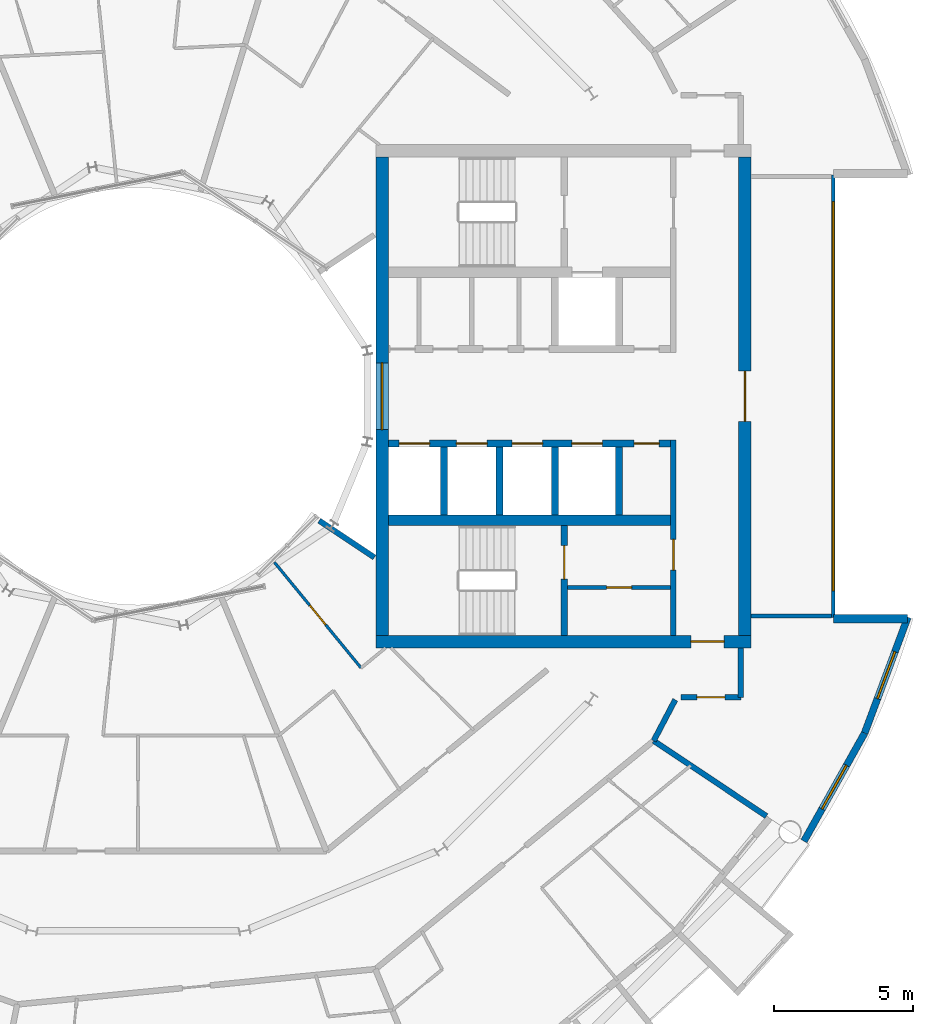
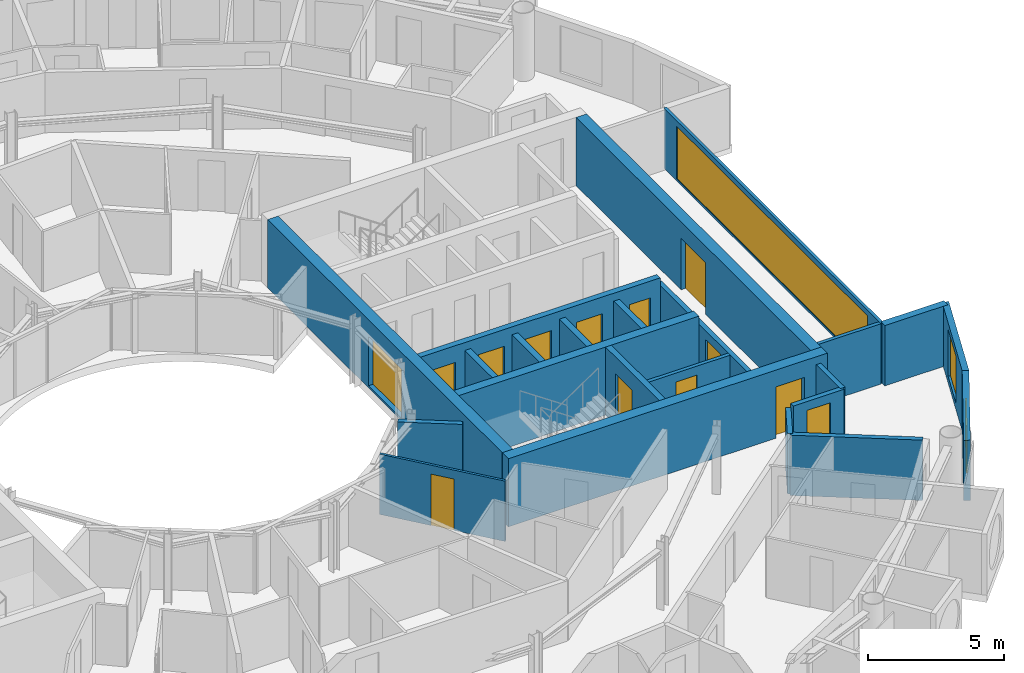
# One storey, part 19 of 29: 23 walls, 12 doors, 4 windows, 16 openings.
"""IFC4 building model written with IfcOpenShell, lengths in metres."""

import ifcopenshell
import ifcopenshell.guid

model = None  # the IFC model being written
_history = None  # IfcOwnerHistory: only IFC2X3 demands one
_inside = {}  # id of a spatial element -> (the spatial element, [elements in it])
_under = {}  # id of a project, library or spatial element -> (it, [spatial elements below it])
_declared = {}  # id of a project -> (the project, [libraries it declares])
_typed = {}  # id of a type object -> (the type object, [elements of that type])
_made_of = {}  # id of a material, layer set ... -> (it, [elements and type objects made of it])


def new_model(schema):
    """Start an empty IFC model of exactly this schema.

    Asked for "IFC4X3", IfcOpenShell would pick the latest addendum, in which some entities
    have other attributes; the version numbers below select the first issue.
    IFC2X3 requires an IfcOwnerHistory on every rooted entity: one is made here for all.
    """
    global model, _history
    if schema == "IFC4X3":
        model = ifcopenshell.file(schema_version=(4, 3, 0, 0))
    else:
        model = ifcopenshell.file(schema=schema)
    _inside.clear()
    _under.clear()
    _declared.clear()
    _typed.clear()
    _made_of.clear()
    _history = None
    if model.schema == "IFC2X3":
        org = make("IfcOrganization", Name="unknown")
        user = make(
            "IfcPersonAndOrganization",
            ThePerson=make("IfcPerson", FamilyName="unknown"),
            TheOrganization=org,
        )
        app = make(
            "IfcApplication",
            ApplicationDeveloper=org,
            Version="unknown",
            ApplicationFullName="unknown",
            ApplicationIdentifier="unknown",
        )
        _history = make(
            "IfcOwnerHistory",
            OwningUser=user,
            OwningApplication=app,
            ChangeAction="ADDED",
            CreationDate=0,
        )
    return model


def make(cls, **values):
    """One entity of the class cls with the attributes given. An attribute that is None is left unset."""
    return model.create_entity(
        cls, **{name: value for name, value in values.items() if value is not None}
    )


def rooted(cls, **values):
    """An entity with a GlobalId (a new one), such as an element, a storey or a relation."""
    return make(cls, GlobalId=ifcopenshell.guid.new(), OwnerHistory=_history, **values)


def si_unit(unit_type, name, prefix=None):
    """IfcSIUnit, for example si_unit("LENGTHUNIT", "METRE", prefix="MILLI")."""
    return make("IfcSIUnit", UnitType=unit_type, Prefix=prefix, Name=name)


def assignment(units):
    """IfcUnitAssignment: the units of a project."""
    return None if units is None else make("IfcUnitAssignment", Units=units)


def point(xyz):
    """IfcCartesianPoint."""
    return None if xyz is None else make("IfcCartesianPoint", Coordinates=xyz)


def direction(xyz):
    """IfcDirection."""
    return None if xyz is None else make("IfcDirection", DirectionRatios=xyz)


def frame(location, z_axis=None, x_axis=None):
    """IfcAxis2Placement3D, a coordinate frame: its origin and axes. An axis left out is left unset."""
    return make(
        "IfcAxis2Placement3D",
        Location=point(location),
        Axis=direction(z_axis),
        RefDirection=direction(x_axis),
    )


def frame_2d(location, x_axis=None):
    """IfcAxis2Placement2D, a coordinate frame in the plane: its origin and x axis."""
    return make(
        "IfcAxis2Placement2D", Location=point(location), RefDirection=direction(x_axis)
    )


def origin():
    """The frame at (0, 0, 0) with its axes left unset."""
    return frame((0.0, 0.0, 0.0))


def place(relative_to, where):
    """IfcLocalPlacement: puts the frame where relative to a parent placement (None: the world)."""
    return make(
        "IfcLocalPlacement", PlacementRelTo=relative_to, RelativePlacement=where
    )


def context(
    kind, dimensions, precision=None, world=None, true_north=None, identifier=None
):
    """IfcGeometricRepresentationContext, for example the 3D "Model" context."""
    return make(
        "IfcGeometricRepresentationContext",
        ContextIdentifier=identifier,
        ContextType=kind,
        CoordinateSpaceDimension=dimensions,
        Precision=precision,
        WorldCoordinateSystem=world,
        TrueNorth=true_north,
    )


def subcontext(parent, identifier, kind, view, scale=None):
    """IfcGeometricRepresentationSubContext, for example "Body" below "Model"."""
    return make(
        "IfcGeometricRepresentationSubContext",
        ContextIdentifier=identifier,
        ContextType=kind,
        ParentContext=parent,
        TargetScale=scale,
        TargetView=view,
    )


def project(units=None, contexts=None):
    """IfcProject with its units and contexts."""
    return rooted(
        "IfcProject",
        Name="project",
        RepresentationContexts=contexts,
        UnitsInContext=assignment(units),
    )


def spatial(cls, under=None, at=None, **own):
    """A site, building, storey or space (cls), placed at a placement, below another one or the project."""
    s = rooted(cls, ObjectPlacement=at, **own)
    if under is not None:
        _under.setdefault(under.id(), (under, []))[1].append(s)
    return s


def profile(cls, at=None, kind="AREA", **sizes):
    """A parametric profile (cls). Its sizes go by their IFC names, for example OverallWidth=200.0."""
    return make(cls, ProfileType=kind, Position=at, **sizes)


def rectangle(**sizes):
    """IfcRectangleProfileDef."""
    return profile("IfcRectangleProfileDef", **sizes)


def extrude(swept, where, along, depth):
    """IfcExtrudedAreaSolid: the profile swept, set in the frame where, extruded along a direction by depth."""
    return make(
        "IfcExtrudedAreaSolid",
        SweptArea=swept,
        Position=where,
        ExtrudedDirection=direction(along),
        Depth=depth,
    )


def shape(context_of_items, identifier, shape_type, items):
    """IfcShapeRepresentation: the items that make up one representation, for example the "Body"."""
    return make(
        "IfcShapeRepresentation",
        ContextOfItems=context_of_items,
        RepresentationIdentifier=identifier,
        RepresentationType=shape_type,
        Items=items,
    )


def material(Name=None, Category=None):
    """IfcMaterial."""
    return make("IfcMaterial", Name=Name, Category=Category)


def layer(
    of_material, thickness, ventilated=None, Name=None, Category=None, Priority=None
):
    """IfcMaterialLayer: one layer of a wall or slab, of a material (None: an air gap)."""
    return make(
        "IfcMaterialLayer",
        Material=of_material,
        LayerThickness=thickness,
        IsVentilated=ventilated,
        Name=Name,
        Category=Category,
        Priority=Priority,
    )


def layer_set(layers, Name=None):
    """IfcMaterialLayerSet."""
    return make("IfcMaterialLayerSet", MaterialLayers=layers, LayerSetName=Name)


def made_of(thing, what):
    """Note that an element or type object is made of a material, layer set ...; save() writes the relation."""
    if what is not None:
        _made_of.setdefault(what.id(), (what, []))[1].append(thing)
    return thing


def type_object(cls, material=None, **own):
    """A type object (cls), such as IfcWallType, which elements share."""
    return made_of(rooted(cls, **own), material)


def element(
    cls,
    number,
    at=None,
    inside=None,
    cuts=None,
    type_object=None,
    material=None,
    context=None,
    identifier="Body",
    shape_type=None,
    held_by="IfcProductDefinitionShape",
    body=None,
    shapes=None,
    **own,
):
    """One element of the class cls, such as IfcWall. Its Tag is "e" and its number.

    at: its placement. inside: the storey or other place that contains it. cuts: it is an
    opening in that element (IfcRelVoidsElement). A single representation is given by context,
    identifier, shape_type and body (its items); several are given by shapes. held_by: the class
    of the entity that holds the representations. save() writes the other relations.
    """
    e = rooted(cls, Tag="e%d" % number, ObjectPlacement=at, **own)
    if body is not None:
        shapes = [shape(context, identifier, shape_type, body)]
    if shapes is not None:
        e.Representation = make(held_by, Representations=shapes)
    if inside is not None:
        _inside.setdefault(inside.id(), (inside, []))[1].append(e)
    if cuts is not None:
        rooted(
            "IfcRelVoidsElement", RelatingBuildingElement=cuts, RelatedOpeningElement=e
        )
    if type_object is not None:
        _typed.setdefault(type_object.id(), (type_object, []))[1].append(e)
    return made_of(e, material)


def fill(opening, filler):
    """IfcRelFillsElement: the door or window that sits in an opening."""
    return rooted(
        "IfcRelFillsElement",
        RelatingOpeningElement=opening,
        RelatedBuildingElement=filler,
    )


def aggregate(whole, parts):
    """IfcRelAggregates: a whole, such as a stair, and the parts it consists of."""
    return rooted("IfcRelAggregates", RelatingObject=whole, RelatedObjects=parts)


def save(model, path):
    """Write the relations noted so far, then the file.

    IfcRelAggregates (storeys below a building ...), IfcRelContainedInSpatialStructure (elements
    in a storey), IfcRelDefinesByType, IfcRelAssociatesMaterial and IfcRelDeclares: one each for
    every whole, place, type object, material and project.
    """
    for whole, parts in _under.values():
        aggregate(whole, parts)
    for where, things in _inside.values():
        rooted(
            "IfcRelContainedInSpatialStructure",
            RelatedElements=things,
            RelatingStructure=where,
        )
    for kind, things in _typed.values():
        rooted("IfcRelDefinesByType", RelatedObjects=things, RelatingType=kind)
    for what, things in _made_of.values():
        rooted("IfcRelAssociatesMaterial", RelatedObjects=things, RelatingMaterial=what)
    for by, libraries in _declared.values():
        rooted("IfcRelDeclares", RelatingContext=by, RelatedDefinitions=libraries)
    model.write(path)


model = new_model("IFC4")

# Units and contexts
model_context = context("Model", 3, precision=1e-05, world=origin(), true_north=direction((0.0, 1.0)))
body_context = subcontext(model_context, "Body", "Model", "MODEL_VIEW")
ifc_project = project(units=[si_unit("LENGTHUNIT", "METRE"), si_unit("AREAUNIT", "SQUARE_METRE"), si_unit("VOLUMEUNIT", "CUBIC_METRE"), si_unit("PLANEANGLEUNIT", "RADIAN"), si_unit("MASSUNIT", "GRAM", prefix="KILO")], contexts=[model_context])

# Site, building, storey
site_placement = place(None, origin())
site = spatial("IfcSite", under=ifc_project, at=site_placement, CompositionType="ELEMENT")
building_placement = place(site_placement, origin())
building = spatial("IfcBuilding", under=site, at=building_placement, Name="Maasbend Ring Residences", CompositionType="ELEMENT")
storey_placement = place(building_placement, frame((0.0, 0.0, 205.449951171875)))
storey = spatial("IfcBuildingStorey", under=building, at=storey_placement, Name="L59", CompositionType="ELEMENT", Elevation=205.449951171875)

# Wall, openings, doors
ifc_material_1 = material(Name="Concrete C50/60", Category="concrete")
ifc_layer_1 = layer(ifc_material_1, 0.25)
ifc_layer_set_1 = layer_set([ifc_layer_1], Name="Concrete C50/60")
wall_type_1 = type_object("IfcWallType", Name="CORE WALL 250 C50/60", PredefinedType="SHEAR", material=ifc_layer_set_1)
wall_1_placement = place(storey_placement, frame((19.14990234375, -1.699951171875, 0.0), z_axis=(0.0, 0.0, 1.0), x_axis=(-1.0, 0.0, 0.0)))
wall_1 = element("IfcWall", 1, at=wall_1_placement, inside=storey, type_object=wall_type_1, Name="L59 core E wall SPS", PredefinedType="SHEAR", context=body_context, shape_type="SweptSolid", body=[
    extrude(rectangle(XDim=10.14990234375, YDim=0.25, at=frame_2d((5.074951171875, 0.0))), origin(), (0.0, 0.0, 1.0), 3.050048828125),
])
opening_1_placement = place(wall_1_placement, frame((8.66259765625, 0.0, 0.0)))
opening_1 = element("IfcOpeningElement", 2, at=opening_1_placement, cuts=wall_1, Name="Opening LD-E5902", PredefinedType="OPENING", context=body_context, shape_type="SweptSolid", body=[
    extrude(rectangle(XDim=1.10009765625, YDim=2.300048828125, at=frame_2d((0.550048828125, 1.14990234375))), frame((0.0, 0.135009765625, 0.0), z_axis=(0.0, -1.0, 0.0), x_axis=(1.0, 0.0, 0.0)), (0.0, 0.0, 1.0), 0.27001953125),
])
opening_2_placement = place(wall_1_placement, frame((6.60009765625, 0.0, 0.0)))
opening_2 = element("IfcOpeningElement", 3, at=opening_2_placement, cuts=wall_1, Name="Opening LD-E5903", PredefinedType="OPENING", context=body_context, shape_type="SweptSolid", body=[
    extrude(rectangle(XDim=1.10009765625, YDim=2.300048828125, at=frame_2d((0.550048828125, 1.14990234375))), frame((0.0, 0.135009765625, 0.0), z_axis=(0.0, -1.0, 0.0), x_axis=(1.0, 0.0, 0.0)), (0.0, 0.0, 1.0), 0.27001953125),
])
opening_3_placement = place(wall_1_placement, frame((4.60009765625, 0.0, 0.0)))
opening_3 = element("IfcOpeningElement", 4, at=opening_3_placement, cuts=wall_1, Name="Opening LD-E5904", PredefinedType="OPENING", context=body_context, shape_type="SweptSolid", body=[
    extrude(rectangle(XDim=1.10009765625, YDim=2.300048828125, at=frame_2d((0.550048828125, 1.14990234375))), frame((0.0, 0.135009765625, 0.0), z_axis=(0.0, -1.0, 0.0), x_axis=(1.0, 0.0, 0.0)), (0.0, 0.0, 1.0), 0.27001953125),
])
opening_4_placement = place(wall_1_placement, frame((2.449951171875, 0.0, 0.0)))
opening_4 = element("IfcOpeningElement", 5, at=opening_4_placement, cuts=wall_1, Name="Opening LD-E5905", PredefinedType="OPENING", context=body_context, shape_type="SweptSolid", body=[
    extrude(rectangle(XDim=1.10009765625, YDim=2.300048828125, at=frame_2d((0.550048828125, 1.14990234375))), frame((0.0, 0.135009765625, 0.0), z_axis=(0.0, -1.0, 0.0), x_axis=(1.0, 0.0, 0.0)), (0.0, 0.0, 1.0), 0.27001953125),
])
opening_5_placement = place(wall_1_placement, frame((0.41259765625, 0.0, 0.0)))
opening_5 = element("IfcOpeningElement", 6, at=opening_5_placement, cuts=wall_1, Name="Opening D-E5911", PredefinedType="OPENING", context=body_context, shape_type="SweptSolid", body=[
    extrude(rectangle(XDim=0.89990234375, YDim=2.300048828125, at=frame_2d((0.449951171875, 1.14990234375))), frame((0.0, 0.135009765625, 0.0), z_axis=(0.0, -1.0, 0.0), x_axis=(1.0, 0.0, 0.0)), (0.0, 0.0, 1.0), 0.27001953125),
])
ifc_material_2 = material(Name="Stainless steel 316", Category="steel")
door_type_1 = type_object("IfcDoorType", Name="LANDING DOOR 1100 X 2300 FD60", OperationType="DOUBLE_DOOR_SLIDING", PredefinedType="DOOR", material=ifc_material_2)
door_1_placement = place(opening_1_placement, origin())
door_1 = element("IfcDoor", 7, at=door_1_placement, inside=storey, type_object=door_type_1, Name="Landing door HR-E1 L59", OperationType="DOUBLE_DOOR_SLIDING", OverallHeight=2.300048828125, OverallWidth=1.10009765625, PredefinedType="DOOR", context=body_context, shape_type="SweptSolid", body=[
    extrude(rectangle(XDim=1.10009765625, YDim=2.300048828125, at=frame_2d((0.550048828125, 1.14990234375))), frame((0.0, 0.02490234375, 0.0), z_axis=(0.0, -1.0, 0.0), x_axis=(1.0, 0.0, 0.0)), (0.0, 0.0, 1.0), 0.050048828125),
])
fill(opening_1, door_1)
door_2_placement = place(opening_2_placement, origin())
door_2 = element("IfcDoor", 8, at=door_2_placement, inside=storey, type_object=door_type_1, Name="Landing door HR-E2 L59", OperationType="DOUBLE_DOOR_SLIDING", OverallHeight=2.300048828125, OverallWidth=1.10009765625, PredefinedType="DOOR", context=body_context, shape_type="SweptSolid", body=[
    extrude(rectangle(XDim=1.10009765625, YDim=2.300048828125, at=frame_2d((0.550048828125, 1.14990234375))), frame((0.0, 0.02490234375, 0.0), z_axis=(0.0, -1.0, 0.0), x_axis=(1.0, 0.0, 0.0)), (0.0, 0.0, 1.0), 0.050048828125),
])
fill(opening_2, door_2)
door_3_placement = place(opening_3_placement, origin())
door_3 = element("IfcDoor", 9, at=door_3_placement, inside=storey, type_object=door_type_1, Name="Landing door HR-E3 L59", OperationType="DOUBLE_DOOR_SLIDING", OverallHeight=2.300048828125, OverallWidth=1.10009765625, PredefinedType="DOOR", context=body_context, shape_type="SweptSolid", body=[
    extrude(rectangle(XDim=1.10009765625, YDim=2.300048828125, at=frame_2d((0.550048828125, 1.14990234375))), frame((0.0, 0.02490234375, 0.0), z_axis=(0.0, -1.0, 0.0), x_axis=(1.0, 0.0, 0.0)), (0.0, 0.0, 1.0), 0.050048828125),
])
fill(opening_3, door_3)
door_4_placement = place(opening_4_placement, origin())
door_4 = element("IfcDoor", 10, at=door_4_placement, inside=storey, type_object=door_type_1, Name="Landing door SV-E L59", OperationType="DOUBLE_DOOR_SLIDING", OverallHeight=2.300048828125, OverallWidth=1.10009765625, PredefinedType="DOOR", context=body_context, shape_type="SweptSolid", body=[
    extrude(rectangle(XDim=1.10009765625, YDim=2.300048828125, at=frame_2d((0.550048828125, 1.14990234375))), frame((0.0, 0.02490234375, 0.0), z_axis=(0.0, -1.0, 0.0), x_axis=(1.0, 0.0, 0.0)), (0.0, 0.0, 1.0), 0.050048828125),
])
fill(opening_4, door_4)
ifc_material_3 = material(Name="Steel, powder coated", Category="steel")
door_type_2 = type_object("IfcDoorType", Name="ROOM DOOR 900 X 2300 FD30S", OperationType="NOTDEFINED", PredefinedType="DOOR", material=ifc_material_3)
door_5_placement = place(opening_5_placement, origin())
door_5 = element("IfcDoor", 11, at=door_5_placement, inside=storey, type_object=door_type_2, Name="Room door L59", OperationType="SINGLE_SWING_RIGHT", OverallHeight=2.300048828125, OverallWidth=0.89990234375, PredefinedType="DOOR", context=body_context, shape_type="SweptSolid", body=[
    extrude(rectangle(XDim=0.89990234375, YDim=2.300048828125, at=frame_2d((0.449951171875, 1.14990234375))), frame((0.0, 0.02490234375, 0.0), z_axis=(0.0, -1.0, 0.0), x_axis=(1.0, 0.0, 0.0)), (0.0, 0.0, 1.0), 0.050048828125),
])
fill(opening_5, door_5)

# Wall, opening, door
wall_2_placement = place(storey_placement, frame((15.324951171875, -8.60009765625, 0.0), z_axis=(0.0, 0.0, 1.0), x_axis=(0.0, 1.0, 0.0)))
wall_2 = element("IfcWall", 12, at=wall_2_placement, inside=storey, type_object=wall_type_1, Name="L59 core E wall STES", PredefinedType="SHEAR", context=body_context, shape_type="SweptSolid", body=[
    extrude(rectangle(XDim=3.9501953125, YDim=0.25, at=frame_2d((1.97509765625, 0.0))), origin(), (0.0, 0.0, 1.0), 3.050048828125),
])
opening_6_placement = place(wall_2_placement, frame((2.02490234375, 0.0, 0.0)))
opening_6 = element("IfcOpeningElement", 13, at=opening_6_placement, cuts=wall_2, Name="Opening D-E5914", PredefinedType="OPENING", context=body_context, shape_type="SweptSolid", body=[
    extrude(rectangle(XDim=1.199951171875, YDim=2.300048828125, at=frame_2d((0.60009765625, 1.14990234375))), frame((0.0, 0.135009765625, 0.0), z_axis=(0.0, -1.0, 0.0), x_axis=(1.0, 0.0, 0.0)), (0.0, 0.0, 1.0), 0.27001953125),
])
ifc_material_4 = material(Name="Steel, powder coated", Category="steel")
door_type_3 = type_object("IfcDoorType", Name="STAIR DOOR 1200 X 2300 FD60", OperationType="NOTDEFINED", PredefinedType="DOOR", material=ifc_material_4)
door_6_placement = place(opening_6_placement, origin())
door_6 = element("IfcDoor", 14, at=door_6_placement, inside=storey, type_object=door_type_3, Name="Stair door ST-E L59", OperationType="SINGLE_SWING_LEFT", OverallHeight=2.300048828125, OverallWidth=1.199951171875, PredefinedType="DOOR", context=body_context, shape_type="SweptSolid", body=[
    extrude(rectangle(XDim=1.199951171875, YDim=2.300048828125, at=frame_2d((0.60009765625, 1.14990234375))), frame((0.0, 0.02490234375, 0.0), z_axis=(0.0, -1.0, 0.0), x_axis=(1.0, 0.0, 0.0)), (0.0, 0.0, 1.0), 0.050048828125),
])
fill(opening_6, door_6)

# Wall
ifc_material_5 = material(Name="Concrete C50/60", Category="concrete")
ifc_layer_2 = layer(ifc_material_5, 0.375)
ifc_layer_set_2 = layer_set([ifc_layer_2], Name="Concrete C50/60")
wall_type_2 = type_object("IfcWallType", Name="CORE WALL 375 C50/60", PredefinedType="SHEAR", material=ifc_layer_set_2)
wall_3_placement = place(storey_placement, frame((9.0, -4.46240234375, 0.0), z_axis=(0.0, 0.0, 1.0), x_axis=(1.0, 0.0, 0.0)))
element("IfcWall", 15, at=wall_3_placement, inside=storey, type_object=wall_type_2, Name="L59 core E wall BS", PredefinedType="SHEAR", context=body_context, shape_type="SweptSolid", body=[
    extrude(rectangle(XDim=10.14990234375, YDim=0.375, at=frame_2d((5.074951171875, 0.0))), origin(), (0.0, 0.0, 1.0), 3.050048828125),
])

# Wall, opening, door
ifc_material_6 = material(Name="Concrete C50/60", Category="concrete")
ifc_layer_3 = layer(ifc_material_6, 0.449951171875)
ifc_layer_set_3 = layer_set([ifc_layer_3], Name="Concrete C50/60")
wall_type_3 = type_object("IfcWallType", Name="CORE WALL 450 C50/60", PredefinedType="SHEAR", material=ifc_layer_set_3)
wall_4_placement = place(storey_placement, frame((8.550048828125, -8.824951171875, 0.0), z_axis=(0.0, 0.0, 1.0), x_axis=(1.0, 0.0, 0.0)))
wall_4 = element("IfcWall", 16, at=wall_4_placement, inside=storey, type_object=wall_type_3, Name="L59 core E wall PS", PredefinedType="SHEAR", context=body_context, shape_type="SweptSolid", body=[
    extrude(rectangle(XDim=13.5, YDim=0.449951171875, at=frame_2d((6.75, 0.0))), origin(), (0.0, 0.0, 1.0), 3.050048828125),
])
opening_7_placement = place(wall_4_placement, frame((11.324951171875, 0.0, 0.0)))
opening_7 = element("IfcOpeningElement", 17, at=opening_7_placement, cuts=wall_4, Name="Opening D-E5918", PredefinedType="OPENING", context=body_context, shape_type="SweptSolid", body=[
    extrude(rectangle(XDim=1.199951171875, YDim=2.300048828125, at=frame_2d((0.60009765625, 1.14990234375))), frame((0.0, 0.23486328125, 0.0), z_axis=(0.0, -1.0, 0.0), x_axis=(1.0, 0.0, 0.0)), (0.0, 0.0, 1.0), 0.469970703125),
])
ifc_material_7 = material(Name="Steel, powder coated", Category="steel")
door_type_4 = type_object("IfcDoorType", Name="CORRIDOR DOOR 1200 X 2300 FD30S", OperationType="NOTDEFINED", PredefinedType="DOOR", material=ifc_material_7)
door_7_placement = place(opening_7_placement, origin())
door_7 = element("IfcDoor", 18, at=door_7_placement, inside=storey, type_object=door_type_4, Name="Corridor door L59", OperationType="SINGLE_SWING_LEFT", OverallHeight=2.300048828125, OverallWidth=1.199951171875, PredefinedType="DOOR", context=body_context, shape_type="SweptSolid", body=[
    extrude(rectangle(XDim=1.199951171875, YDim=2.300048828125, at=frame_2d((0.60009765625, 1.14990234375))), frame((0.0, 0.02490234375, 0.0), z_axis=(0.0, -1.0, 0.0), x_axis=(1.0, 0.0, 0.0)), (0.0, 0.0, 1.0), 0.050048828125),
])
fill(opening_7, door_7)

wall_5_placement = place(storey_placement, frame((21.824951171875, 8.60009765625, 0.0), z_axis=(0.0, 0.0, 1.0), x_axis=(0.0, -1.0, 0.0)))
wall_5 = element("IfcWall", 19, at=wall_5_placement, inside=storey, type_object=wall_type_3, Name="L59 core E wall POUT", PredefinedType="SHEAR", context=body_context, shape_type="SweptSolid", body=[
    extrude(rectangle(XDim=17.2001953125, YDim=0.449951171875, at=frame_2d((8.60009765625, 0.0))), origin(), (0.0, 0.0, 1.0), 3.050048828125),
])
opening_8_placement = place(wall_5_placement, frame((7.699951171875, 0.0, 0.0)))
opening_8 = element("IfcOpeningElement", 20, at=opening_8_placement, cuts=wall_5, Name="Opening D-E5919", PredefinedType="OPENING", context=body_context, shape_type="SweptSolid", body=[
    extrude(rectangle(XDim=1.800048828125, YDim=2.300048828125, at=frame_2d((0.89990234375, 1.14990234375))), frame((0.0, 0.23486328125, 0.0), z_axis=(0.0, -1.0, 0.0), x_axis=(1.0, 0.0, 0.0)), (0.0, 0.0, 1.0), 0.469970703125),
])
ifc_material_8 = material(Name="Aluminium frame, clear glass", Category="aluminium")
door_type_5 = type_object("IfcDoorType", Name="ENTRANCE DOOR 1800 X 2300 FD60", OperationType="NOTDEFINED", PredefinedType="DOOR", material=ifc_material_8)
door_8_placement = place(opening_8_placement, origin())
door_8 = element("IfcDoor", 21, at=door_8_placement, inside=storey, type_object=door_type_5, Name="Lobby glazed door L59", OperationType="SINGLE_SWING_LEFT", OverallHeight=2.300048828125, OverallWidth=1.800048828125, PredefinedType="DOOR", context=body_context, shape_type="SweptSolid", body=[
    extrude(rectangle(XDim=1.800048828125, YDim=2.300048828125, at=frame_2d((0.89990234375, 1.14990234375))), frame((0.0, 0.02490234375, 0.0), z_axis=(0.0, -1.0, 0.0), x_axis=(1.0, 0.0, 0.0)), (0.0, 0.0, 1.0), 0.050048828125),
])
fill(opening_8, door_8)

# Wall, opening, window
wall_6_placement = place(storey_placement, frame((8.77490234375, -8.60009765625, 0.0), z_axis=(0.0, 0.0, 1.0), x_axis=(0.0, 1.0, 0.0)))
wall_6 = element("IfcWall", 22, at=wall_6_placement, inside=storey, type_object=wall_type_3, Name="L59 core E wall PIN", PredefinedType="SHEAR", context=body_context, shape_type="SweptSolid", body=[
    extrude(rectangle(XDim=17.2001953125, YDim=0.449951171875, at=frame_2d((8.60009765625, 0.0))), origin(), (0.0, 0.0, 1.0), 3.050048828125),
])
opening_9_placement = place(wall_6_placement, frame((7.39990234375, 0.0, 0.10009765625)))
opening_9 = element("IfcOpeningElement", 23, at=opening_9_placement, cuts=wall_6, Name="Opening W-E5901", PredefinedType="OPENING", context=body_context, shape_type="SweptSolid", body=[
    extrude(rectangle(XDim=2.39990234375, YDim=2.199951171875, at=frame_2d((1.199951171875, 1.10009765625))), frame((0.0, 0.23486328125, 0.0), z_axis=(0.0, -1.0, 0.0), x_axis=(1.0, 0.0, 0.0)), (0.0, 0.0, 1.0), 0.469970703125),
])
ifc_material_9 = material(Name="Aluminium frame and clear glass", Category="aluminium")
window_type_1 = type_object("IfcWindowType", Name="FIXED WINDOW 2400 X 2200", PartitioningType="SINGLE_PANEL", PredefinedType="WINDOW", material=ifc_material_9)
window_1_placement = place(opening_9_placement, origin())
window_1 = element("IfcWindow", 24, at=window_1_placement, inside=storey, type_object=window_type_1, Name="Lobby window L59", OverallHeight=2.199951171875, OverallWidth=2.39990234375, PartitioningType="SINGLE_PANEL", PredefinedType="WINDOW", context=body_context, shape_type="SweptSolid", body=[
    extrude(rectangle(XDim=2.39990234375, YDim=2.199951171875, at=frame_2d((1.199951171875, 1.10009765625))), frame((0.0, 0.030029296875, 0.0), z_axis=(0.0, -1.0, 0.0), x_axis=(1.0, 0.0, 0.0)), (0.0, 0.0, 1.0), 0.06005859375),
])
fill(opening_9, window_1)

# Walls
ifc_material_10 = material(Name="Concrete C30/37", Category="concrete")
ifc_layer_4 = layer(ifc_material_10, 0.199951171875)
ifc_layer_set_4 = layer_set([ifc_layer_4], Name="Concrete C30/37")
wall_type_4 = type_object("IfcWallType", Name="CORRIDOR WALL 200 CONCRETE", PredefinedType="PARTITIONING", material=ifc_layer_set_4)
wall_7_placement = place(storey_placement, frame((18.5419921875, -12.388916015625, 0.0), z_axis=(0.0, 0.0, 1.0), x_axis=(0.465359652486, 0.885121683068, 0.0)))
element("IfcWall", 25, at=wall_7_placement, inside=storey, type_object=wall_type_4, Name="U-L59-w010", PredefinedType="PARTITIONING", context=body_context, shape_type="SweptSolid", body=[
    extrude(rectangle(XDim=1.665283203125, YDim=0.199951171875, at=frame_2d((0.83251953125, 0.0))), origin(), (0.0, 0.0, 1.0), 2.699951171875),
])
wall_8_placement = place(storey_placement, frame((21.675048828125, -10.824951171875, 0.0), z_axis=(0.0, 0.0, 1.0), x_axis=(0.0, 1.0, 0.0)))
element("IfcWall", 26, at=wall_8_placement, inside=storey, type_object=wall_type_4, Name="U-L59-w012", PredefinedType="PARTITIONING", context=body_context, shape_type="SweptSolid", body=[
    extrude(rectangle(XDim=1.77490234375, YDim=0.199951171875, at=frame_2d((0.887451171875, 0.0))), origin(), (0.0, 0.0, 1.0), 2.699951171875),
])

# Wall, opening, door
wall_9_placement = place(storey_placement, frame((19.52294921875, -10.824951171875, 0.0), z_axis=(0.0, 0.0, 1.0), x_axis=(1.0, 0.0, 0.0)))
wall_9 = element("IfcWall", 27, at=wall_9_placement, inside=storey, type_object=wall_type_4, Name="U-L59-w027", PredefinedType="PARTITIONING", context=body_context, shape_type="SweptSolid", body=[
    extrude(rectangle(XDim=2.152099609375, YDim=0.199951171875, at=frame_2d((1.076171875, 0.0))), origin(), (0.0, 0.0, 1.0), 2.699951171875),
])
opening_10_placement = place(wall_9_placement, frame((0.575927734375, 0.0, 0.0)))
opening_10 = element("IfcOpeningElement", 28, at=opening_10_placement, cuts=wall_9, Name="Opening D-5970", PredefinedType="OPENING", context=body_context, shape_type="SweptSolid", body=[
    extrude(rectangle(XDim=1.0, YDim=2.300048828125, at=frame_2d((0.5, 1.14990234375))), frame((0.0, 0.10986328125, 0.0), z_axis=(0.0, -1.0, 0.0), x_axis=(1.0, 0.0, 0.0)), (0.0, 0.0, 1.0), 0.219970703125),
])
ifc_material_11 = material(Name="Timber, painted", Category="wood")
door_type_6 = type_object("IfcDoorType", Name="ROOM DOOR 1000 X 2300", OperationType="NOTDEFINED", PredefinedType="DOOR", material=ifc_material_11)
door_9_placement = place(opening_10_placement, origin())
door_9 = element("IfcDoor", 29, at=door_9_placement, inside=storey, type_object=door_type_6, Name="D-5970", OperationType="SINGLE_SWING_LEFT", OverallHeight=2.300048828125, OverallWidth=1.0, PredefinedType="DOOR", context=body_context, shape_type="SweptSolid", body=[
    extrude(rectangle(XDim=1.0, YDim=2.300048828125, at=frame_2d((0.5, 1.14990234375))), frame((0.0, 0.02490234375, 0.0), z_axis=(0.0, -1.0, 0.0), x_axis=(1.0, 0.0, 0.0)), (0.0, 0.0, 1.0), 0.050048828125),
])
fill(opening_10, door_9)

# Wall, opening, window
ifc_material_12 = material(Name="Aluminium clad insulated panel", Category="aluminium")
ifc_layer_5 = layer(ifc_material_12, 0.25)
ifc_layer_set_5 = layer_set([ifc_layer_5], Name="EW-HORN")
wall_type_5 = type_object("IfcWallType", Name="EW-HORN", PredefinedType="SOLIDWALL", material=ifc_layer_set_5)
wall_10_placement = place(storey_placement, frame((23.946044921875, -16.0, 0.0), z_axis=(0.0, 0.0, 1.0), x_axis=(0.489696356642, 0.871893042919, 0.0)))
wall_10 = element("IfcWall", 30, at=wall_10_placement, inside=storey, type_object=wall_type_5, Name="Horn wall 2.1", PredefinedType="SOLIDWALL", context=body_context, shape_type="SweptSolid", body=[
    extrude(rectangle(XDim=4.45361328125, YDim=0.25, at=frame_2d((2.226806640625, 0.0))), origin(), (0.0, 0.0, 1.0), 2.699951171875),
])
opening_11_placement = place(wall_10_placement, frame((1.32666015625, 0.0, 0.300048828125)))
opening_11 = element("IfcOpeningElement", 31, at=opening_11_placement, cuts=wall_10, Name="Opening W-BX", PredefinedType="OPENING", context=body_context, shape_type="SweptSolid", body=[
    extrude(rectangle(XDim=1.800048828125, YDim=2.10009765625, at=frame_2d((0.89990234375, 1.050048828125))), frame((0.0, 0.135009765625, 0.0), z_axis=(0.0, -1.0, 0.0), x_axis=(1.0, 0.0, 0.0)), (0.0, 0.0, 1.0), 0.27001953125),
])
ifc_material_13 = material(Name="Aluminium and clear glass", Category="aluminium")
window_type_2 = type_object("IfcWindowType", Name="W-BX", PartitioningType="DOUBLE_PANEL_VERTICAL", PredefinedType="WINDOW", material=ifc_material_13)
window_2_placement = place(opening_11_placement, origin())
window_2 = element("IfcWindow", 32, at=window_2_placement, inside=storey, type_object=window_type_2, Name="Horn window 2.1", OverallHeight=2.10009765625, OverallWidth=1.800048828125, PartitioningType="SINGLE_PANEL", PredefinedType="WINDOW", context=body_context, shape_type="SweptSolid", body=[
    extrude(rectangle(XDim=1.800048828125, YDim=2.10009765625, at=frame_2d((0.89990234375, 1.050048828125))), frame((0.0, 0.030029296875, 0.0), z_axis=(0.0, -1.0, 0.0), x_axis=(1.0, 0.0, 0.0)), (0.0, 0.0, 1.0), 0.06005859375),
])
fill(opening_11, window_2)

wall_11_placement = place(storey_placement, frame((26.126953125, -12.116943359375, 0.0), z_axis=(0.0, 0.0, 1.0), x_axis=(0.349247811493, 0.937030397675, 0.0)))
wall_11 = element("IfcWall", 33, at=wall_11_placement, inside=storey, type_object=wall_type_5, Name="Horn wall 2.2", PredefinedType="SOLIDWALL", context=body_context, shape_type="SweptSolid", body=[
    extrude(rectangle(XDim=4.4521484375, YDim=0.25, at=frame_2d((2.22607421875, 0.0))), origin(), (0.0, 0.0, 1.0), 2.699951171875),
])
opening_12_placement = place(wall_11_placement, frame((1.32666015625, 0.0, 0.300048828125)))
opening_12 = element("IfcOpeningElement", 34, at=opening_12_placement, cuts=wall_11, Name="Opening W-BX", PredefinedType="OPENING", context=body_context, shape_type="SweptSolid", body=[
    extrude(rectangle(XDim=1.800048828125, YDim=2.10009765625, at=frame_2d((0.89990234375, 1.050048828125))), frame((0.0, 0.135009765625, 0.0), z_axis=(0.0, -1.0, 0.0), x_axis=(1.0, 0.0, 0.0)), (0.0, 0.0, 1.0), 0.27001953125),
])
window_3_placement = place(opening_12_placement, origin())
window_3 = element("IfcWindow", 35, at=window_3_placement, inside=storey, type_object=window_type_2, Name="Horn window 2.2", OverallHeight=2.10009765625, OverallWidth=1.800048828125, PartitioningType="SINGLE_PANEL", PredefinedType="WINDOW", context=body_context, shape_type="SweptSolid", body=[
    extrude(rectangle(XDim=1.800048828125, YDim=2.10009765625, at=frame_2d((0.89990234375, 1.050048828125))), frame((0.0, 0.030029296875, 0.0), z_axis=(0.0, -1.0, 0.0), x_axis=(1.0, 0.0, 0.0)), (0.0, 0.0, 1.0), 0.06005859375),
])
fill(opening_12, window_3)

# Wall
ifc_material_14 = material(Name="Aluminium clad insulated panel", Category="aluminium")
ifc_layer_6 = layer(ifc_material_14, 0.300048828125)
ifc_layer_set_6 = layer_set([ifc_layer_6], Name="EW-RET")
wall_type_6 = type_object("IfcWallType", Name="EW-RET", PredefinedType="SOLIDWALL", material=ifc_layer_set_6)
wall_12_placement = place(storey_placement, frame((25.0, -8.0, 0.0), z_axis=(0.0, 0.0, 1.0), x_axis=(1.0, 0.0, 0.0)))
element("IfcWall", 36, at=wall_12_placement, inside=storey, type_object=wall_type_6, Name="Notch return wall east south", PredefinedType="SOLIDWALL", context=body_context, shape_type="SweptSolid", body=[
    extrude(rectangle(XDim=2.6669921875, YDim=0.300048828125, at=frame_2d((1.33349609375, 0.0))), origin(), (0.0, 0.0, 1.0), 2.699951171875),
])

# Wall, opening, window
ifc_material_15 = material(Name="Aluminium frame and clear glass", Category="aluminium")
ifc_layer_7 = layer(ifc_material_15, 0.1201171875)
ifc_layer_set_7 = layer_set([ifc_layer_7], Name="GLAZED SCREEN WALL 120 EI 60")
wall_type_7 = type_object("IfcWallType", Name="GLAZED SCREEN WALL 120 EI 60", PredefinedType="PARTITIONING", material=ifc_layer_set_7)
wall_13_placement = place(storey_placement, frame((25.0, -7.949951171875, 0.0), z_axis=(0.0, 0.0, 1.0), x_axis=(0.0, 1.0, 0.0)))
wall_13 = element("IfcWall", 37, at=wall_13_placement, inside=storey, type_object=wall_type_7, Name="L59 core E wall FACE", PredefinedType="PARTITIONING", context=body_context, shape_type="SweptSolid", body=[
    extrude(rectangle(XDim=15.89990234375, YDim=0.1201171875, at=frame_2d((7.949951171875, 0.0))), origin(), (0.0, 0.0, 1.0), 2.699951171875),
])
opening_13_placement = place(wall_13_placement, frame((0.949951171875, 0.0, 0.10009765625)))
opening_13 = element("IfcOpeningElement", 38, at=opening_13_placement, cuts=wall_13, Name="Opening W-E5902", PredefinedType="OPENING", context=body_context, shape_type="SweptSolid", body=[
    extrude(rectangle(XDim=14.0, YDim=2.35009765625, at=frame_2d((7.0, 1.175048828125))), frame((0.0, 0.070068359375, 0.0), z_axis=(0.0, -1.0, 0.0), x_axis=(1.0, 0.0, 0.0)), (0.0, 0.0, 1.0), 0.14013671875),
])
ifc_material_16 = material(Name="Aluminium frame and clear glass", Category="aluminium")
window_type_3 = type_object("IfcWindowType", Name="FIXED WINDOW 14000 X 2350", PartitioningType="SINGLE_PANEL", PredefinedType="WINDOW", material=ifc_material_16)
window_4_placement = place(opening_13_placement, origin())
window_4 = element("IfcWindow", 39, at=window_4_placement, inside=storey, type_object=window_type_3, Name="Lobby window L59", OverallHeight=2.35009765625, OverallWidth=14.0, PartitioningType="SINGLE_PANEL", PredefinedType="WINDOW", context=body_context, shape_type="SweptSolid", body=[
    extrude(rectangle(XDim=14.0, YDim=2.35009765625, at=frame_2d((7.0, 1.175048828125))), frame((0.0, 0.030029296875, 0.0), z_axis=(0.0, -1.0, 0.0), x_axis=(1.0, 0.0, 0.0)), (0.0, 0.0, 1.0), 0.06005859375),
])
fill(opening_13, window_4)

# Wall, opening, door
ifc_material_17 = material(Name="Gypsum board on steel studs", Category="steel")
ifc_layer_8 = layer(ifc_material_17, 0.10009765625)
ifc_layer_set_8 = layer_set([ifc_layer_8], Name="PARTITION 100 GYPSUM")
wall_type_8 = type_object("IfcWallType", Name="PARTITION 100 GYPSUM", PredefinedType="PARTITIONING", material=ifc_layer_set_8)
wall_14_placement = place(storey_placement, frame((4.89794921875, -5.968017578125, 0.0), z_axis=(0.0, 0.0, 1.0), x_axis=(0.634401778971, -0.773003481776, 0.0)))
wall_14 = element("IfcWall", 40, at=wall_14_placement, inside=storey, type_object=wall_type_8, Name="U-L59-w071", PredefinedType="PARTITIONING", context=body_context, shape_type="SweptSolid", body=[
    extrude(rectangle(XDim=4.919677734375, YDim=0.10009765625, at=frame_2d((2.4599609375, 0.0))), origin(), (0.0, 0.0, 1.0), 2.699951171875),
])
opening_14_placement = place(wall_14_placement, frame((2.010009765625, 0.0, 0.0)))
opening_14 = element("IfcOpeningElement", 41, at=opening_14_placement, cuts=wall_14, Name="Opening D-5967", PredefinedType="OPENING", context=body_context, shape_type="SweptSolid", body=[
    extrude(rectangle(XDim=0.89990234375, YDim=2.300048828125, at=frame_2d((0.449951171875, 1.14990234375))), frame((0.0, 0.06005859375, 0.0), z_axis=(0.0, -1.0, 0.0), x_axis=(1.0, 0.0, 0.0)), (0.0, 0.0, 1.0), 0.1201171875),
])
ifc_material_18 = material(Name="Timber, painted", Category="wood")
door_type_7 = type_object("IfcDoorType", Name="INTERNAL DOOR 900 X 2300", OperationType="NOTDEFINED", PredefinedType="DOOR", material=ifc_material_18)
door_10_placement = place(opening_14_placement, origin())
door_10 = element("IfcDoor", 42, at=door_10_placement, inside=storey, type_object=door_type_7, Name="D-5967", OperationType="SINGLE_SWING_RIGHT", OverallHeight=2.300048828125, OverallWidth=0.89990234375, PredefinedType="DOOR", context=body_context, shape_type="SweptSolid", body=[
    extrude(rectangle(XDim=0.89990234375, YDim=2.300048828125, at=frame_2d((0.449951171875, 1.14990234375))), frame((0.0, 0.02490234375, 0.0), z_axis=(0.0, -1.0, 0.0), x_axis=(1.0, 0.0, 0.0)), (0.0, 0.0, 1.0), 0.050048828125),
])
fill(opening_14, door_10)

ifc_material_19 = material(Name="Gypsum board on steel studs", Category="steel")
ifc_layer_9 = layer(ifc_material_19, 0.14990234375)
ifc_layer_set_9 = layer_set([ifc_layer_9], Name="PARTITION 150 EI 60")
wall_type_9 = type_object("IfcWallType", Name="PARTITION 150 EI 60", PredefinedType="PARTITIONING", material=ifc_layer_set_9)
wall_15_placement = place(storey_placement, frame((15.449951171875, -6.875, 0.0), z_axis=(0.0, 0.0, 1.0), x_axis=(1.0, 0.0, 0.0)))
wall_15 = element("IfcWall", 43, at=wall_15_placement, inside=storey, type_object=wall_type_9, Name="L59 core E wall RHS", PredefinedType="PARTITIONING", context=body_context, shape_type="SweptSolid", body=[
    extrude(rectangle(XDim=3.699951171875, YDim=0.14990234375, at=frame_2d((1.85009765625, 0.0))), origin(), (0.0, 0.0, 1.0), 2.699951171875),
])
opening_15_placement = place(wall_15_placement, frame((1.39990234375, 0.0, 0.0)))
opening_15 = element("IfcOpeningElement", 44, at=opening_15_placement, cuts=wall_15, Name="Opening D-E5912", PredefinedType="OPENING", context=body_context, shape_type="SweptSolid", body=[
    extrude(rectangle(XDim=0.89990234375, YDim=2.300048828125, at=frame_2d((0.449951171875, 1.14990234375))), frame((0.0, 0.0849609375, 0.0), z_axis=(0.0, -1.0, 0.0), x_axis=(1.0, 0.0, 0.0)), (0.0, 0.0, 1.0), 0.169921875),
])
ifc_material_20 = material(Name="Steel, powder coated", Category="steel")
door_type_8 = type_object("IfcDoorType", Name="RISER DOOR 900 X 2300 FD60", OperationType="NOTDEFINED", PredefinedType="DOOR", material=ifc_material_20)
door_11_placement = place(opening_15_placement, origin())
door_11 = element("IfcDoor", 45, at=door_11_placement, inside=storey, type_object=door_type_8, Name="Riser door L59", OperationType="SINGLE_SWING_LEFT", OverallHeight=2.300048828125, OverallWidth=0.89990234375, PredefinedType="DOOR", context=body_context, shape_type="SweptSolid", body=[
    extrude(rectangle(XDim=0.89990234375, YDim=2.300048828125, at=frame_2d((0.449951171875, 1.14990234375))), frame((0.0, 0.02490234375, 0.0), z_axis=(0.0, -1.0, 0.0), x_axis=(1.0, 0.0, 0.0)), (0.0, 0.0, 1.0), 0.050048828125),
])
fill(opening_15, door_11)

# Walls
wall_16_placement = place(storey_placement, frame((22.050048828125, -7.89990234375, 0.0), z_axis=(0.0, 0.0, 1.0), x_axis=(1.0, 0.0, 0.0)))
element("IfcWall", 46, at=wall_16_placement, inside=storey, type_object=wall_type_9, Name="L59 core E wall CITS", PredefinedType="PARTITIONING", context=body_context, shape_type="SweptSolid", body=[
    extrude(rectangle(XDim=2.889892578125, YDim=0.14990234375, at=frame_2d((1.44482421875, 0.0))), origin(), (0.0, 0.0, 1.0), 2.699951171875),
])
ifc_material_21 = material(Name="Concrete C30/37", Category="concrete")
ifc_layer_10 = layer(ifc_material_21, 0.199951171875)
ifc_layer_set_10 = layer_set([ifc_layer_10], Name="Concrete C30/37")
wall_type_10 = type_object("IfcWallType", Name="PARTY WALL 200 CONCRETE", PredefinedType="PARTITIONING", material=ifc_layer_set_10)
wall_17_placement = place(storey_placement, frame((6.512939453125, -4.471923828125, 0.0), z_axis=(0.0, 0.0, 1.0), x_axis=(0.831403409976, -0.555669299026, 0.0)))
element("IfcWall", 47, at=wall_17_placement, inside=storey, type_object=wall_type_10, Name="U-L59-w029", PredefinedType="PARTITIONING", context=body_context, shape_type="SweptSolid", body=[
    extrude(rectangle(XDim=2.382568359375, YDim=0.199951171875, at=frame_2d((1.19140625, 0.0))), origin(), (0.0, 0.0, 1.0), 2.699951171875),
])
wall_18_placement = place(storey_placement, frame((18.5419921875, -12.388916015625, 0.0), z_axis=(0.0, 0.0, 1.0), x_axis=(0.831387096605, -0.55569370664, 0.0)))
element("IfcWall", 48, at=wall_18_placement, inside=storey, type_object=wall_type_10, Name="U-L59-w087", PredefinedType="PARTITIONING", context=body_context, shape_type="SweptSolid", body=[
    extrude(rectangle(XDim=4.875, YDim=0.199951171875, at=frame_2d((2.4375, 0.0))), origin(), (0.0, 0.0, 1.0), 2.699951171875),
])

# Wall, opening, door
ifc_material_22 = material(Name="Concrete C30/37", Category="concrete")
ifc_layer_11 = layer(ifc_material_22, 0.199951171875)
ifc_layer_set_11 = layer_set([ifc_layer_11], Name="Concrete C30/37")
wall_type_11 = type_object("IfcWallType", Name="SHAFT WALL 200 EI 120", PredefinedType="SOLIDWALL", material=ifc_layer_set_11)
wall_19_placement = place(storey_placement, frame((19.25, -8.60009765625, 0.0), z_axis=(0.0, 0.0, 1.0), x_axis=(0.0, 1.0, 0.0)))
wall_19 = element("IfcWall", 49, at=wall_19_placement, inside=storey, type_object=wall_type_11, Name="L59 core E wall ENDS", PredefinedType="SOLIDWALL", context=body_context, shape_type="SweptSolid", body=[
    extrude(rectangle(XDim=7.025146484375, YDim=0.199951171875, at=frame_2d((3.5126953125, 0.0))), origin(), (0.0, 0.0, 1.0), 2.699951171875),
])
opening_16_placement = place(wall_19_placement, frame((2.35009765625, 0.0, 0.0)))
opening_16 = element("IfcOpeningElement", 50, at=opening_16_placement, cuts=wall_19, Name="Opening D-E5916", PredefinedType="OPENING", context=body_context, shape_type="SweptSolid", body=[
    extrude(rectangle(XDim=1.10009765625, YDim=2.300048828125, at=frame_2d((0.550048828125, 1.14990234375))), frame((0.0, 0.10986328125, 0.0), z_axis=(0.0, -1.0, 0.0), x_axis=(1.0, 0.0, 0.0)), (0.0, 0.0, 1.0), 0.219970703125),
])
ifc_material_23 = material(Name="Steel, powder coated", Category="steel")
door_type_9 = type_object("IfcDoorType", Name="LOBBY DOOR 1100 X 2300 FD60", OperationType="NOTDEFINED", PredefinedType="DOOR", material=ifc_material_23)
door_12_placement = place(opening_16_placement, origin())
door_12 = element("IfcDoor", 51, at=door_12_placement, inside=storey, type_object=door_type_9, Name="Lobby door L59", OperationType="SINGLE_SWING_RIGHT", OverallHeight=2.300048828125, OverallWidth=1.10009765625, PredefinedType="DOOR", context=body_context, shape_type="SweptSolid", body=[
    extrude(rectangle(XDim=1.10009765625, YDim=2.300048828125, at=frame_2d((0.550048828125, 1.14990234375))), frame((0.0, 0.02490234375, 0.0), z_axis=(0.0, -1.0, 0.0), x_axis=(1.0, 0.0, 0.0)), (0.0, 0.0, 1.0), 0.050048828125),
])
fill(opening_16, door_12)

# Walls
ifc_material_24 = material(Name="Concrete C30/37", Category="concrete")
ifc_layer_12 = layer(ifc_material_24, 0.25)
ifc_layer_set_12 = layer_set([ifc_layer_12], Name="Concrete C30/37")
wall_type_12 = type_object("IfcWallType", Name="SHAFT WALL 250 EI 120", PredefinedType="SOLIDWALL", material=ifc_layer_set_12)
for number, where, z_axis, x_axis, name in (
    (52, (15.0, -1.824951171875, 0.0), (0.0, 0.0, 1.0), (0.0, -1.0, 0.0), "L59 core E wall D150S"),
    (53, (17.300048828125, -1.824951171875, 0.0), (0.0, 0.0, 1.0), (0.0, -1.0, 0.0), "L59 core E wall D173S"),
    (54, (11.0, -1.824951171875, 0.0), (0.0, 0.0, 1.0), (0.0, -1.0, 0.0), "L59 core E wall D110S"),
    (55, (13.0, -1.824951171875, 0.0), (0.0, 0.0, 1.0), (0.0, -1.0, 0.0), "L59 core E wall D130S"),
):
    element("IfcWall", number, at=place(storey_placement, frame(where, z_axis=z_axis, x_axis=x_axis)), inside=storey, type_object=wall_type_12, Name=name, PredefinedType="SOLIDWALL", context=body_context, shape_type="SweptSolid", body=[
        extrude(rectangle(XDim=2.449951171875, YDim=0.25, at=frame_2d((1.22509765625, 0.0))), origin(), (0.0, 0.0, 1.0), 2.699951171875),
    ])

save(model, "model.ifc")
